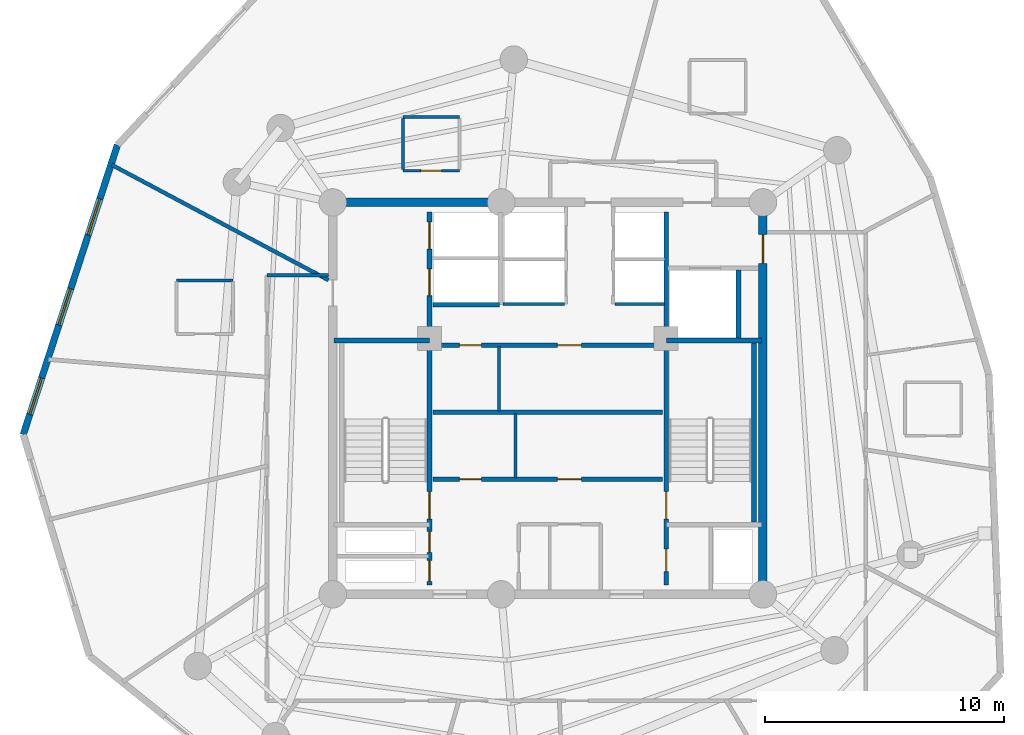
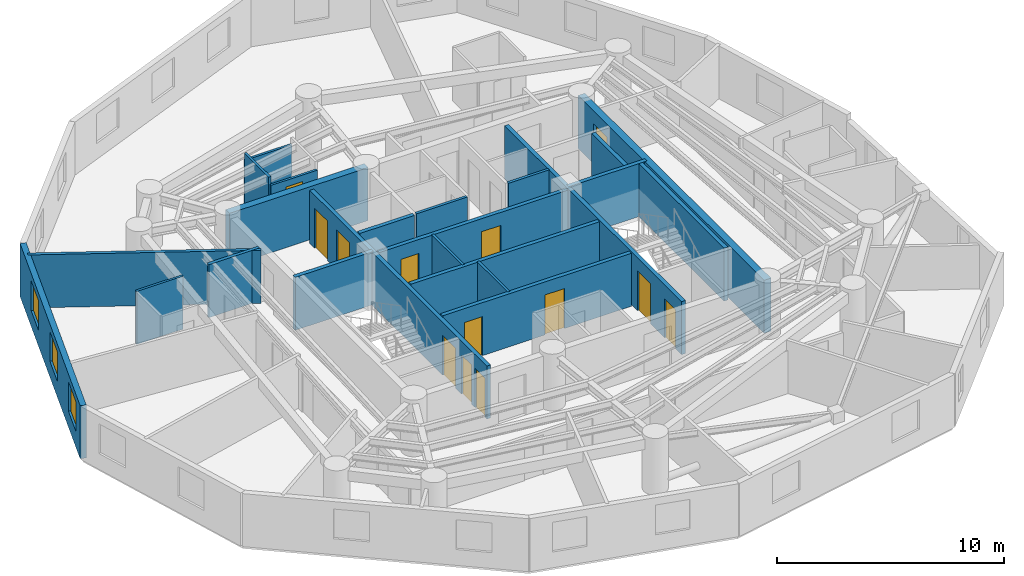
# One storey, part 4 of 7: 23 walls, 13 doors, 3 windows, 16 openings.
"""IFC4 building model written with IfcOpenShell, lengths in metres."""

import ifcopenshell
import ifcopenshell.guid

model = None  # the IFC model being written
_history = None  # IfcOwnerHistory: only IFC2X3 demands one
_inside = {}  # id of a spatial element -> (the spatial element, [elements in it])
_under = {}  # id of a project, library or spatial element -> (it, [spatial elements below it])
_declared = {}  # id of a project -> (the project, [libraries it declares])
_typed = {}  # id of a type object -> (the type object, [elements of that type])
_made_of = {}  # id of a material, layer set ... -> (it, [elements and type objects made of it])


def new_model(schema):
    """Start an empty IFC model of exactly this schema.

    Asked for "IFC4X3", IfcOpenShell would pick the latest addendum, in which some entities
    have other attributes; the version numbers below select the first issue.
    IFC2X3 requires an IfcOwnerHistory on every rooted entity: one is made here for all.
    """
    global model, _history
    if schema == "IFC4X3":
        model = ifcopenshell.file(schema_version=(4, 3, 0, 0))
    else:
        model = ifcopenshell.file(schema=schema)
    _inside.clear()
    _under.clear()
    _declared.clear()
    _typed.clear()
    _made_of.clear()
    _history = None
    if model.schema == "IFC2X3":
        org = make("IfcOrganization", Name="unknown")
        user = make(
            "IfcPersonAndOrganization",
            ThePerson=make("IfcPerson", FamilyName="unknown"),
            TheOrganization=org,
        )
        app = make(
            "IfcApplication",
            ApplicationDeveloper=org,
            Version="unknown",
            ApplicationFullName="unknown",
            ApplicationIdentifier="unknown",
        )
        _history = make(
            "IfcOwnerHistory",
            OwningUser=user,
            OwningApplication=app,
            ChangeAction="ADDED",
            CreationDate=0,
        )
    return model


def make(cls, **values):
    """One entity of the class cls with the attributes given. An attribute that is None is left unset."""
    return model.create_entity(
        cls, **{name: value for name, value in values.items() if value is not None}
    )


def rooted(cls, **values):
    """An entity with a GlobalId (a new one), such as an element, a storey or a relation."""
    return make(cls, GlobalId=ifcopenshell.guid.new(), OwnerHistory=_history, **values)


def si_unit(unit_type, name, prefix=None):
    """IfcSIUnit, for example si_unit("LENGTHUNIT", "METRE", prefix="MILLI")."""
    return make("IfcSIUnit", UnitType=unit_type, Prefix=prefix, Name=name)


def assignment(units):
    """IfcUnitAssignment: the units of a project."""
    return None if units is None else make("IfcUnitAssignment", Units=units)


def point(xyz):
    """IfcCartesianPoint."""
    return None if xyz is None else make("IfcCartesianPoint", Coordinates=xyz)


def direction(xyz):
    """IfcDirection."""
    return None if xyz is None else make("IfcDirection", DirectionRatios=xyz)


def frame(location, z_axis=None, x_axis=None):
    """IfcAxis2Placement3D, a coordinate frame: its origin and axes. An axis left out is left unset."""
    return make(
        "IfcAxis2Placement3D",
        Location=point(location),
        Axis=direction(z_axis),
        RefDirection=direction(x_axis),
    )


def frame_2d(location, x_axis=None):
    """IfcAxis2Placement2D, a coordinate frame in the plane: its origin and x axis."""
    return make(
        "IfcAxis2Placement2D", Location=point(location), RefDirection=direction(x_axis)
    )


def origin():
    """The frame at (0, 0, 0) with its axes left unset."""
    return frame((0.0, 0.0, 0.0))


def origin_with_axes():
    """The frame at (0, 0, 0) with the z axis (0, 0, 1) and the x axis (1, 0, 0) written out."""
    return frame((0.0, 0.0, 0.0), z_axis=(0.0, 0.0, 1.0), x_axis=(1.0, 0.0, 0.0))


def place(relative_to, where):
    """IfcLocalPlacement: puts the frame where relative to a parent placement (None: the world)."""
    return make(
        "IfcLocalPlacement", PlacementRelTo=relative_to, RelativePlacement=where
    )


def context(
    kind, dimensions, precision=None, world=None, true_north=None, identifier=None
):
    """IfcGeometricRepresentationContext, for example the 3D "Model" context."""
    return make(
        "IfcGeometricRepresentationContext",
        ContextIdentifier=identifier,
        ContextType=kind,
        CoordinateSpaceDimension=dimensions,
        Precision=precision,
        WorldCoordinateSystem=world,
        TrueNorth=true_north,
    )


def subcontext(parent, identifier, kind, view, scale=None):
    """IfcGeometricRepresentationSubContext, for example "Body" below "Model"."""
    return make(
        "IfcGeometricRepresentationSubContext",
        ContextIdentifier=identifier,
        ContextType=kind,
        ParentContext=parent,
        TargetScale=scale,
        TargetView=view,
    )


def project(units=None, contexts=None):
    """IfcProject with its units and contexts."""
    return rooted(
        "IfcProject",
        Name="project",
        RepresentationContexts=contexts,
        UnitsInContext=assignment(units),
    )


def spatial(cls, under=None, at=None, **own):
    """A site, building, storey or space (cls), placed at a placement, below another one or the project."""
    s = rooted(cls, ObjectPlacement=at, **own)
    if under is not None:
        _under.setdefault(under.id(), (under, []))[1].append(s)
    return s


def profile(cls, at=None, kind="AREA", **sizes):
    """A parametric profile (cls). Its sizes go by their IFC names, for example OverallWidth=200.0."""
    return make(cls, ProfileType=kind, Position=at, **sizes)


def rectangle(**sizes):
    """IfcRectangleProfileDef."""
    return profile("IfcRectangleProfileDef", **sizes)


def extrude(swept, where, along, depth):
    """IfcExtrudedAreaSolid: the profile swept, set in the frame where, extruded along a direction by depth."""
    return make(
        "IfcExtrudedAreaSolid",
        SweptArea=swept,
        Position=where,
        ExtrudedDirection=direction(along),
        Depth=depth,
    )


def shape(context_of_items, identifier, shape_type, items):
    """IfcShapeRepresentation: the items that make up one representation, for example the "Body"."""
    return make(
        "IfcShapeRepresentation",
        ContextOfItems=context_of_items,
        RepresentationIdentifier=identifier,
        RepresentationType=shape_type,
        Items=items,
    )


def source(mapping_origin, context_of_items, identifier, shape_type, items):
    """IfcRepresentationMap: a shape defined once, which mapped items show again and again."""
    return make(
        "IfcRepresentationMap",
        MappingOrigin=mapping_origin,
        MappedRepresentation=shape(context_of_items, identifier, shape_type, items),
    )


def transform(
    local_origin,
    x_axis=None,
    y_axis=None,
    z_axis=None,
    scale=None,
    scale2=None,
    scale3=None,
    uniform=True,
):
    """IfcCartesianTransformationOperator3D, or its non-uniform kind. x_axis, y_axis, z_axis: its Axis1, 2, 3."""
    if uniform:
        return make(
            "IfcCartesianTransformationOperator3D",
            Axis1=direction(x_axis),
            Axis2=direction(y_axis),
            LocalOrigin=point(local_origin),
            Scale=scale,
            Axis3=direction(z_axis),
        )
    return make(
        "IfcCartesianTransformationOperator3DnonUniform",
        Axis1=direction(x_axis),
        Axis2=direction(y_axis),
        LocalOrigin=point(local_origin),
        Scale=scale,
        Axis3=direction(z_axis),
        Scale2=scale2,
        Scale3=scale3,
    )


def mapped(mapping_source, mapping_target):
    """IfcMappedItem: shows the shape of a source again, moved by a transform."""
    return make(
        "IfcMappedItem", MappingSource=mapping_source, MappingTarget=mapping_target
    )


def material(Name=None, Category=None):
    """IfcMaterial."""
    return make("IfcMaterial", Name=Name, Category=Category)


def layer(
    of_material, thickness, ventilated=None, Name=None, Category=None, Priority=None
):
    """IfcMaterialLayer: one layer of a wall or slab, of a material (None: an air gap)."""
    return make(
        "IfcMaterialLayer",
        Material=of_material,
        LayerThickness=thickness,
        IsVentilated=ventilated,
        Name=Name,
        Category=Category,
        Priority=Priority,
    )


def layer_set(layers, Name=None):
    """IfcMaterialLayerSet."""
    return make("IfcMaterialLayerSet", MaterialLayers=layers, LayerSetName=Name)


def made_of(thing, what):
    """Note that an element or type object is made of a material, layer set ...; save() writes the relation."""
    if what is not None:
        _made_of.setdefault(what.id(), (what, []))[1].append(thing)
    return thing


def type_object(cls, material=None, **own):
    """A type object (cls), such as IfcWallType, which elements share."""
    return made_of(rooted(cls, **own), material)


def element(
    cls,
    number,
    at=None,
    inside=None,
    cuts=None,
    type_object=None,
    material=None,
    context=None,
    identifier="Body",
    shape_type=None,
    held_by="IfcProductDefinitionShape",
    body=None,
    shapes=None,
    **own,
):
    """One element of the class cls, such as IfcWall. Its Tag is "e" and its number.

    at: its placement. inside: the storey or other place that contains it. cuts: it is an
    opening in that element (IfcRelVoidsElement). A single representation is given by context,
    identifier, shape_type and body (its items); several are given by shapes. held_by: the class
    of the entity that holds the representations. save() writes the other relations.
    """
    e = rooted(cls, Tag="e%d" % number, ObjectPlacement=at, **own)
    if body is not None:
        shapes = [shape(context, identifier, shape_type, body)]
    if shapes is not None:
        e.Representation = make(held_by, Representations=shapes)
    if inside is not None:
        _inside.setdefault(inside.id(), (inside, []))[1].append(e)
    if cuts is not None:
        rooted(
            "IfcRelVoidsElement", RelatingBuildingElement=cuts, RelatedOpeningElement=e
        )
    if type_object is not None:
        _typed.setdefault(type_object.id(), (type_object, []))[1].append(e)
    return made_of(e, material)


def fill(opening, filler):
    """IfcRelFillsElement: the door or window that sits in an opening."""
    return rooted(
        "IfcRelFillsElement",
        RelatingOpeningElement=opening,
        RelatedBuildingElement=filler,
    )


def aggregate(whole, parts):
    """IfcRelAggregates: a whole, such as a stair, and the parts it consists of."""
    return rooted("IfcRelAggregates", RelatingObject=whole, RelatedObjects=parts)


def save(model, path):
    """Write the relations noted so far, then the file.

    IfcRelAggregates (storeys below a building ...), IfcRelContainedInSpatialStructure (elements
    in a storey), IfcRelDefinesByType, IfcRelAssociatesMaterial and IfcRelDeclares: one each for
    every whole, place, type object, material and project.
    """
    for whole, parts in _under.values():
        aggregate(whole, parts)
    for where, things in _inside.values():
        rooted(
            "IfcRelContainedInSpatialStructure",
            RelatedElements=things,
            RelatingStructure=where,
        )
    for kind, things in _typed.values():
        rooted("IfcRelDefinesByType", RelatedObjects=things, RelatingType=kind)
    for what, things in _made_of.values():
        rooted("IfcRelAssociatesMaterial", RelatedObjects=things, RelatingMaterial=what)
    for by, libraries in _declared.values():
        rooted("IfcRelDeclares", RelatingContext=by, RelatedDefinitions=libraries)
    model.write(path)


model = new_model("IFC4")

# Units and contexts
model_context = context("Model", 3, precision=1e-05, world=origin(), true_north=direction((0.0, 1.0)))
body_context = subcontext(model_context, "Body", "Model", "MODEL_VIEW")
ifc_project = project(units=[si_unit("LENGTHUNIT", "METRE"), si_unit("AREAUNIT", "SQUARE_METRE"), si_unit("VOLUMEUNIT", "CUBIC_METRE"), si_unit("PLANEANGLEUNIT", "RADIAN"), si_unit("MASSUNIT", "GRAM", prefix="KILO")], contexts=[model_context])

# Site, building, storey
site_placement = place(None, origin())
site = spatial("IfcSite", under=ifc_project, at=site_placement, CompositionType="ELEMENT")
building_placement = place(site_placement, origin())
building = spatial("IfcBuilding", under=site, at=building_placement, Name="Karkom Vertical University and Central Library", CompositionType="ELEMENT")
storey_placement = place(building_placement, frame((0.0, 0.0, 229.10009765625)))
storey = spatial("IfcBuildingStorey", under=building, at=storey_placement, Name="L67", CompositionType="ELEMENT", Elevation=229.10009765625)

# Wall, openings, windows
ifc_material_1 = material(Name="Brick-faced precast concrete C45/55", Category="masonry")
ifc_layer_1 = layer(ifc_material_1, 0.280029296875)
ifc_layer_set_1 = layer_set([ifc_layer_1], Name="Brick-faced precast concrete C45/55")
wall_type_1 = type_object("IfcWallType", Name="ENV-WL-BRK-280", PredefinedType="SOLIDWALL", material=ifc_layer_set_1)
wall_1_placement = place(storey_placement, frame((10.4892578125, 37.108154296875, 0.0), z_axis=(0.0, 0.0, 1.0), x_axis=(-0.309170501719, -0.951006625038, 0.0)))
wall_1 = element("IfcWall", 1, at=wall_1_placement, inside=storey, type_object=wall_type_1, Name="Level 67 Brick-Faced Precast Facade Wall 12", PredefinedType="SOLIDWALL", context=body_context, shape_type="SweptSolid", body=[
    extrude(rectangle(XDim=12.75, YDim=0.280029296875, at=frame_2d((6.375, 0.0))), origin(), (0.0, 0.0, 1.0), 2.849853515625),
])
opening_1_placement = place(wall_1_placement, frame((2.371826171875, 0.0, 0.85009765625)))
opening_1 = element("IfcOpeningElement", 2, at=opening_1_placement, cuts=wall_1, Name="Opening WN-10", PredefinedType="OPENING", context=body_context, shape_type="SweptSolid", body=[
    extrude(rectangle(XDim=1.60009765625, YDim=1.60009765625, at=frame_2d((0.800048828125, 0.800048828125))), frame((0.0, 0.14990234375, 0.0), z_axis=(0.0, -1.0, 0.0), x_axis=(1.0, 0.0, 0.0)), (0.0, 0.0, 1.0), 0.300048828125),
])
opening_2_placement = place(wall_1_placement, frame((6.326416015625, 0.0, 0.85009765625)))
opening_2 = element("IfcOpeningElement", 3, at=opening_2_placement, cuts=wall_1, Name="Opening WN-10", PredefinedType="OPENING", context=body_context, shape_type="SweptSolid", body=[
    extrude(rectangle(XDim=1.60009765625, YDim=1.60009765625, at=frame_2d((0.800048828125, 0.800048828125))), frame((0.0, 0.14990234375, 0.0), z_axis=(0.0, -1.0, 0.0), x_axis=(1.0, 0.0, 0.0)), (0.0, 0.0, 1.0), 0.300048828125),
])
opening_3_placement = place(wall_1_placement, frame((10.2568359375, 0.0, 0.85009765625)))
opening_3 = element("IfcOpeningElement", 4, at=opening_3_placement, cuts=wall_1, Name="Opening WN-10", PredefinedType="OPENING", context=body_context, shape_type="SweptSolid", body=[
    extrude(rectangle(XDim=1.60009765625, YDim=1.60009765625, at=frame_2d((0.800048828125, 0.800048828125))), frame((0.0, 0.14990234375, 0.0), z_axis=(0.0, -1.0, 0.0), x_axis=(1.0, 0.0, 0.0)), (0.0, 0.0, 1.0), 0.300048828125),
])
ifc_material_2 = material(Name="Aluminium thermal-break frame with solar-control IGU", Category="aluminium")
window_type = type_object("IfcWindowType", Name="ENV-WIN-WN-10", PartitioningType="SINGLE_PANEL", PredefinedType="WINDOW", material=ifc_material_2)
shared_shape_1 = source(origin_with_axes(), body_context, "Body", "SweptSolid", [
    extrude(rectangle(XDim=1.60009765625, YDim=1.60009765625, at=frame_2d((0.800048828125, 0.800048828125))), frame((0.0, 0.030029296875, 0.0), z_axis=(0.0, -1.0, 0.0), x_axis=(1.0, 0.0, 0.0)), (0.0, 0.0, 1.0), 0.06005859375),
])
window_1_placement = place(opening_1_placement, origin())
window_1 = element("IfcWindow", 5, at=window_1_placement, inside=storey, type_object=window_type, Name="Level 67 Punched Window 12.1", OverallHeight=1.60009765625, OverallWidth=1.60009765625, PartitioningType="SINGLE_PANEL", PredefinedType="WINDOW", context=body_context, shape_type="MappedRepresentation", body=[
    mapped(shared_shape_1, transform((0.0, 0.0, 0.0), scale=1.0)),
])
fill(opening_1, window_1)
window_2_placement = place(opening_2_placement, origin())
window_2 = element("IfcWindow", 6, at=window_2_placement, inside=storey, type_object=window_type, Name="Level 67 Punched Window 12.2", OverallHeight=1.60009765625, OverallWidth=1.60009765625, PartitioningType="SINGLE_PANEL", PredefinedType="WINDOW", context=body_context, shape_type="MappedRepresentation", body=[
    mapped(shared_shape_1, transform((0.0, 0.0, 0.0), scale=1.0)),
])
fill(opening_2, window_2)
window_3_placement = place(opening_3_placement, origin())
window_3 = element("IfcWindow", 7, at=window_3_placement, inside=storey, type_object=window_type, Name="Level 67 Punched Window 12.3", OverallHeight=1.60009765625, OverallWidth=1.60009765625, PartitioningType="SINGLE_PANEL", PredefinedType="WINDOW", context=body_context, shape_type="MappedRepresentation", body=[
    mapped(shared_shape_1, transform((0.0, 0.0, 0.0), scale=1.0)),
])
fill(opening_3, window_3)

# Walls
ifc_material_3 = material(Name="Insulated metal-stud drywall 160mm", Category="gypsum")
ifc_layer_2 = layer(ifc_material_3, 0.159912109375)
ifc_layer_set_2 = layer_set([ifc_layer_2], Name="Insulated metal-stud drywall 160mm")
wall_type_2 = type_object("IfcWallType", Name="INT-WL-COR-160", PredefinedType="PARTITIONING", material=ifc_layer_set_2)
wall_2_placement = place(storey_placement, frame((19.318603515625, 31.44970703125, 0.0), z_axis=(0.0, 0.0, 1.0), x_axis=(-0.882944668505, 0.469477062655, 0.0)))
element("IfcWall", 8, at=wall_2_placement, inside=storey, type_object=wall_type_2, Name="Level 67 Interior Partition Wall L67-PW-014", PredefinedType="PARTITIONING", context=body_context, shape_type="SweptSolid", body=[
    extrude(rectangle(XDim=10.2783203125, YDim=0.159912109375, at=frame_2d((5.13916015625, 0.0))), origin(), (0.0, 0.0, 1.0), 2.849853515625),
])
wall_3_placement = place(storey_placement, frame((16.75, 31.64990234375, 0.0), z_axis=(0.0, 0.0, 1.0), x_axis=(1.0, 0.0, 0.0)))
element("IfcWall", 9, at=wall_3_placement, inside=storey, type_object=wall_type_2, Name="Level 67 Interior Partition Wall L67-CORW-CW-003", PredefinedType="PARTITIONING", context=body_context, shape_type="SweptSolid", body=[
    extrude(rectangle(XDim=2.568115234375, YDim=0.159912109375, at=frame_2d((1.2841796875, 0.0))), origin(), (0.0, 0.0, 1.0), 2.849853515625),
])
ifc_material_4 = material(Name="Moisture-resistant drywall 120mm", Category="gypsum")
ifc_layer_3 = layer(ifc_material_4, 0.1201171875)
ifc_layer_set_3 = layer_set([ifc_layer_3], Name="Moisture-resistant drywall 120mm")
wall_type_3 = type_object("IfcWallType", Name="INT-WL-INT-120", PredefinedType="PARTITIONING", material=ifc_layer_set_3)
wall_4_placement = place(storey_placement, frame((27.14990234375, 23.169921875, 0.0), z_axis=(0.0, 0.0, 1.0), x_axis=(0.0, 1.0, 0.0)))
element("IfcWall", 10, at=wall_4_placement, inside=storey, type_object=wall_type_3, Name="Level 67 Interior Partition Wall L67-CW-B1-K2", PredefinedType="PARTITIONING", context=body_context, shape_type="SweptSolid", body=[
    extrude(rectangle(XDim=2.7001953125, YDim=0.1201171875, at=frame_2d((1.35009765625, 0.0))), origin(), (0.0, 0.0, 1.0), 2.849853515625),
])
wall_5_placement = place(storey_placement, frame((26.449951171875, 25.969970703125, 0.0), z_axis=(0.0, 0.0, 1.0), x_axis=(0.0, 1.0, 0.0)))
element("IfcWall", 11, at=wall_5_placement, inside=storey, type_object=wall_type_3, Name="Level 67 Interior Partition Wall L67-CW-B2-K2", PredefinedType="PARTITIONING", context=body_context, shape_type="SweptSolid", body=[
    extrude(rectangle(XDim=2.699951171875, YDim=0.1201171875, at=frame_2d((1.35009765625, 0.0))), origin(), (0.0, 0.0, 1.0), 2.849853515625),
])
ifc_layer_4 = layer(ifc_material_4, 0.1201171875)
ifc_layer_set_4 = layer_set([ifc_layer_4], Name="Moisture-resistant drywall 120mm")
wall_type_4 = type_object("IfcWallType", Name="INT-WL-INT-120F", PredefinedType="PARTITIONING", material=ifc_layer_set_4)
wall_6_placement = place(storey_placement, frame((15.325927734375, 31.43798828125, 0.0), z_axis=(0.0, 0.0, 1.0), x_axis=(-1.0, 0.0, 0.0)))
element("IfcWall", 12, at=wall_6_placement, inside=storey, type_object=wall_type_4, Name="Level 67 Interior Partition Wall L67-ENS-52-N", PredefinedType="PARTITIONING", context=body_context, shape_type="SweptSolid", body=[
    extrude(rectangle(XDim=2.35986328125, YDim=0.1201171875, at=frame_2d((1.179931640625, 0.0))), origin(), (0.0, 0.0, 1.0), 2.849853515625),
])

# Wall, opening, door
wall_7_placement = place(storey_placement, frame((22.43896484375, 36.027099609375, 0.0), z_axis=(0.0, 0.0, 1.0), x_axis=(1.0, 0.0, 0.0)))
wall_7 = element("IfcWall", 13, at=wall_7_placement, inside=storey, type_object=wall_type_4, Name="Level 67 Interior Partition Wall L67-ENS-51-S", PredefinedType="PARTITIONING", context=body_context, shape_type="SweptSolid", body=[
    extrude(rectangle(XDim=2.360107421875, YDim=0.1201171875, at=frame_2d((1.18017578125, 0.0))), origin(), (0.0, 0.0, 1.0), 2.449951171875),
])
opening_4_placement = place(wall_7_placement, frame((0.75, 0.0, 0.0)))
opening_4 = element("IfcOpeningElement", 14, at=opening_4_placement, cuts=wall_7, Name="Opening D-BATH", PredefinedType="OPENING", context=body_context, shape_type="SweptSolid", body=[
    extrude(rectangle(XDim=0.860107421875, YDim=2.10009765625, at=frame_2d((0.43017578125, 1.050048828125))), frame((0.0, 0.070068359375, 0.0), z_axis=(0.0, -1.0, 0.0), x_axis=(1.0, 0.0, 0.0)), (0.0, 0.0, 1.0), 0.14013671875),
])
ifc_material_5 = material(Name="Moisture-resistant oak door", Category="wood")
door_type_1 = type_object("IfcDoorType", Name="INT-DR-BATH", OperationType="NOTDEFINED", PredefinedType="DOOR", material=ifc_material_5)
shared_shape_2 = source(origin_with_axes(), body_context, "Body", "SweptSolid", [
    extrude(rectangle(XDim=0.860107421875, YDim=2.10009765625, at=frame_2d((0.43017578125, 1.050048828125))), frame((0.0, 0.02490234375, 0.0), z_axis=(0.0, -1.0, 0.0), x_axis=(1.0, 0.0, 0.0)), (0.0, 0.0, 1.0), 0.050048828125),
])
door_1_placement = place(opening_4_placement, origin())
door_1 = element("IfcDoor", 15, at=door_1_placement, inside=storey, type_object=door_type_1, Name="Level 67 En-Suite Bathroom Door 51", OperationType="SINGLE_SWING_RIGHT", OverallHeight=2.10009765625, OverallWidth=0.860107421875, PredefinedType="DOOR", context=body_context, shape_type="MappedRepresentation", body=[
    mapped(shared_shape_2, transform((0.0, 0.0, 0.0), scale=1.0)),
])
fill(opening_4, door_1)

# Walls
wall_8_placement = place(storey_placement, frame((24.799072265625, 38.26708984375, 0.0), z_axis=(0.0, 0.0, 1.0), x_axis=(-1.0, 0.0, 0.0)))
element("IfcWall", 16, at=wall_8_placement, inside=storey, type_object=wall_type_4, Name="Level 67 Interior Partition Wall L67-ENS-51-N", PredefinedType="PARTITIONING", context=body_context, shape_type="SweptSolid", body=[
    extrude(rectangle(XDim=2.360107421875, YDim=0.1201171875, at=frame_2d((1.18017578125, 0.0))), origin(), (0.0, 0.0, 1.0), 2.449951171875),
])
wall_9_placement = place(storey_placement, frame((22.43896484375, 38.217041015625, 0.0), z_axis=(0.0, 0.0, 1.0), x_axis=(0.0, -1.0, 0.0)))
element("IfcWall", 17, at=wall_9_placement, inside=storey, type_object=wall_type_4, Name="Level 67 Interior Partition Wall L67-ENS-51-W", PredefinedType="PARTITIONING", context=body_context, shape_type="SweptSolid", body=[
    extrude(rectangle(XDim=2.14013671875, YDim=0.1201171875, at=frame_2d((1.070068359375, 0.0))), origin(), (0.0, 0.0, 1.0), 2.849853515625),
])
ifc_material_6 = material(Name="Metal-stud gypsum partition 140mm", Category="gypsum")
ifc_layer_5 = layer(ifc_material_6, 0.139892578125)
ifc_layer_set_5 = layer_set([ifc_layer_5], Name="Metal-stud gypsum partition 140mm")
wall_type_5 = type_object("IfcWallType", Name="INT-WL-SUB-140H", PredefinedType="PARTITIONING", material=ifc_layer_set_5)
wall_10_placement = place(storey_placement, frame((26.6201171875, 30.449951171875, 0.0), z_axis=(0.0, 0.0, 1.0), x_axis=(1.0, 0.0, 0.0)))
element("IfcWall", 18, at=wall_10_placement, inside=storey, type_object=wall_type_5, Name="Level 67 Interior Partition Wall L67-CW-PH-S1", PredefinedType="PARTITIONING", context=body_context, shape_type="SweptSolid", body=[
    extrude(rectangle(XDim=2.579833984375, YDim=0.139892578125, at=frame_2d((1.2900390625, 0.0))), origin(), (0.0, 0.0, 1.0), 2.849853515625),
])
wall_11_placement = place(storey_placement, frame((31.300048828125, 30.449951171875, 0.0), z_axis=(0.0, 0.0, 1.0), x_axis=(1.0, 0.0, 0.0)))
element("IfcWall", 19, at=wall_11_placement, inside=storey, type_object=wall_type_5, Name="Level 67 Interior Partition Wall L67-CW-PH-S2", PredefinedType="PARTITIONING", context=body_context, shape_type="SweptSolid", body=[
    extrude(rectangle(XDim=2.074951171875, YDim=0.139892578125, at=frame_2d((1.03759765625, 0.0))), origin(), (0.0, 0.0, 1.0), 2.849853515625),
])

# Wall, opening, door
ifc_material_7 = material(Name="Concrete C45/55", Category="concrete")
ifc_layer_6 = layer(ifc_material_7, 0.35009765625)
ifc_layer_set_6 = layer_set([ifc_layer_6], Name="Concrete C45/55")
wall_type_6 = type_object("IfcWallType", Name="STR-WL-CW-350", PredefinedType="SHEAR", material=ifc_layer_set_6)
wall_12_placement = place(storey_placement, frame((37.5, 18.300048828125, 0.0), z_axis=(0.0, 0.0, 1.0), x_axis=(0.0, 1.0, 0.0)))
wall_12 = element("IfcWall", 20, at=wall_12_placement, inside=storey, type_object=wall_type_6, Name="Level 67 Central Core Shear Wall EW", PredefinedType="SHEAR", context=body_context, shape_type="SweptSolid", body=[
    extrude(rectangle(XDim=16.39990234375, YDim=0.35009765625, at=frame_2d((8.199951171875, 0.0))), origin(), (0.0, 0.0, 1.0), 2.849853515625),
])
opening_5_placement = place(wall_12_placement, frame((13.85009765625, 0.0, 0.0)))
opening_5 = element("IfcOpeningElement", 21, at=opening_5_placement, cuts=wall_12, Name="Opening FD-SUB1", PredefinedType="OPENING", context=body_context, shape_type="SweptSolid", body=[
    extrude(rectangle(XDim=1.199951171875, YDim=2.14990234375, at=frame_2d((0.60009765625, 1.074951171875))), frame((0.0, 0.18505859375, 0.0), z_axis=(0.0, -1.0, 0.0), x_axis=(1.0, 0.0, 0.0)), (0.0, 0.0, 1.0), 0.3701171875),
])
ifc_material_8 = material(Name="Painted steel fire door", Category="steel")
door_type_2 = type_object("IfcDoorType", Name="INT-DR-SUB1", OperationType="NOTDEFINED", PredefinedType="DOOR", material=ifc_material_8)
shared_shape_3 = source(origin_with_axes(), body_context, "Body", "SweptSolid", [
    extrude(rectangle(XDim=1.199951171875, YDim=2.14990234375, at=frame_2d((0.60009765625, 1.074951171875))), frame((0.0, 0.02490234375, 0.0), z_axis=(0.0, -1.0, 0.0), x_axis=(1.0, 0.0, 0.0)), (0.0, 0.0, 1.0), 0.050048828125),
])
door_2_placement = place(opening_5_placement, origin())
door_2 = element("IfcDoor", 22, at=door_2_placement, inside=storey, type_object=door_type_2, Name="Level 67 East Corridor Service Lobby Door", OperationType="SINGLE_SWING_LEFT", OverallHeight=2.14990234375, OverallWidth=1.199951171875, PredefinedType="DOOR", context=body_context, shape_type="MappedRepresentation", body=[
    mapped(shared_shape_3, transform((0.0, 0.0, 0.0), scale=1.0)),
])
fill(opening_5, door_2)

# Wall
wall_13_placement = place(storey_placement, frame((26.550048828125, 34.699951171875, 0.0), z_axis=(0.0, 0.0, 1.0), x_axis=(-1.0, 0.0, 0.0)))
element("IfcWall", 23, at=wall_13_placement, inside=storey, type_object=wall_type_6, Name="Level 67 Central Core Shear Wall NW2", PredefinedType="SHEAR", context=body_context, shape_type="SweptSolid", body=[
    extrude(rectangle(XDim=7.050048828125, YDim=0.35009765625, at=frame_2d((3.52490234375, 0.0))), origin(), (0.0, 0.0, 1.0), 2.849853515625),
])

# Wall, openings, doors
ifc_layer_7 = layer(ifc_material_7, 0.199951171875)
ifc_layer_set_7 = layer_set([ifc_layer_7], Name="Concrete C45/55")
wall_type_7 = type_object("IfcWallType", Name="STR-WL-ST-200", PredefinedType="SHEAR", material=ifc_layer_set_7)
wall_14_placement = place(storey_placement, frame((23.544921875, 18.699951171875, 0.0), z_axis=(0.0, 0.0, 1.0), x_axis=(0.0, 1.0, 0.0)))
wall_14 = element("IfcWall", 24, at=wall_14_placement, inside=storey, type_object=wall_type_7, Name="Level 67 Core Shaft Wall L67-CW-ST1-E", PredefinedType="SHEAR", context=body_context, shape_type="SweptSolid", body=[
    extrude(rectangle(XDim=15.60009765625, YDim=0.199951171875, at=frame_2d((7.800048828125, 0.0))), origin(), (0.0, 0.0, 1.0), 2.849853515625),
])
opening_6_placement = place(wall_14_placement, frame((2.75, 0.0, 0.0)))
opening_6 = element("IfcOpeningElement", 25, at=opening_6_placement, cuts=wall_14, Name="Opening FD-ST1", PredefinedType="OPENING", context=body_context, shape_type="SweptSolid", body=[
    extrude(rectangle(XDim=1.14990234375, YDim=2.14990234375, at=frame_2d((0.574951171875, 1.074951171875))), frame((0.0, 0.10986328125, 0.0), z_axis=(0.0, -1.0, 0.0), x_axis=(1.0, 0.0, 0.0)), (0.0, 0.0, 1.0), 0.219970703125),
])
opening_7_placement = place(wall_14_placement, frame((0.139892578125, 0.0, 0.0)))
opening_7 = element("IfcOpeningElement", 26, at=opening_7_placement, cuts=wall_14, Name="Opening FD-RIS", PredefinedType="OPENING", context=body_context, shape_type="SweptSolid", body=[
    extrude(rectangle(XDim=0.8798828125, YDim=2.10009765625, at=frame_2d((0.43994140625, 1.050048828125))), frame((0.0, 0.10986328125, 0.0), z_axis=(0.0, -1.0, 0.0), x_axis=(1.0, 0.0, 0.0)), (0.0, 0.0, 1.0), 0.219970703125),
])
opening_8_placement = place(wall_14_placement, frame((1.360107421875, 0.0, 0.0)))
opening_8 = element("IfcOpeningElement", 27, at=opening_8_placement, cuts=wall_14, Name="Opening FD-RIS", PredefinedType="OPENING", context=body_context, shape_type="SweptSolid", body=[
    extrude(rectangle(XDim=0.8798828125, YDim=2.10009765625, at=frame_2d((0.43994140625, 1.050048828125))), frame((0.0, 0.10986328125, 0.0), z_axis=(0.0, -1.0, 0.0), x_axis=(1.0, 0.0, 0.0)), (0.0, 0.0, 1.0), 0.219970703125),
])
opening_9_placement = place(wall_14_placement, frame((12.10009765625, 0.0, 0.0)))
opening_9 = element("IfcOpeningElement", 28, at=opening_9_placement, cuts=wall_14, Name="Opening LD-FFL", PredefinedType="OPENING", context=body_context, shape_type="SweptSolid", body=[
    extrude(rectangle(XDim=1.1201171875, YDim=2.14990234375, at=frame_2d((0.56005859375, 1.074951171875))), frame((0.0, 0.10986328125, 0.0), z_axis=(0.0, -1.0, 0.0), x_axis=(1.0, 0.0, 0.0)), (0.0, 0.0, 1.0), 0.219970703125),
])
opening_10_placement = place(wall_14_placement, frame((14.050048828125, 0.0, 0.0)))
opening_10 = element("IfcOpeningElement", 29, at=opening_10_placement, cuts=wall_14, Name="Opening LD-FFL", PredefinedType="OPENING", context=body_context, shape_type="SweptSolid", body=[
    extrude(rectangle(XDim=1.1201171875, YDim=2.14990234375, at=frame_2d((0.56005859375, 1.074951171875))), frame((0.0, 0.10986328125, 0.0), z_axis=(0.0, -1.0, 0.0), x_axis=(1.0, 0.0, 0.0)), (0.0, 0.0, 1.0), 0.219970703125),
])
ifc_material_9 = material(Name="Painted steel acoustic fire door", Category="steel")
door_type_3 = type_object("IfcDoorType", Name="INT-DR-ST1", OperationType="NOTDEFINED", PredefinedType="DOOR", material=ifc_material_9)
shared_shape_4 = source(origin_with_axes(), body_context, "Body", "SweptSolid", [
    extrude(rectangle(XDim=1.14990234375, YDim=2.14990234375, at=frame_2d((0.574951171875, 1.074951171875))), frame((0.0, 0.02490234375, 0.0), z_axis=(0.0, -1.0, 0.0), x_axis=(1.0, 0.0, 0.0)), (0.0, 0.0, 1.0), 0.050048828125),
])
door_3_placement = place(opening_6_placement, origin())
door_3 = element("IfcDoor", 30, at=door_3_placement, inside=storey, type_object=door_type_3, Name="Level 67 Stair ST-1 Fire Door", OperationType="SINGLE_SWING_RIGHT", OverallHeight=2.14990234375, OverallWidth=1.14990234375, PredefinedType="DOOR", context=body_context, shape_type="MappedRepresentation", body=[
    mapped(shared_shape_4, transform((0.0, 0.0, 0.0), scale=1.0)),
])
fill(opening_6, door_3)
ifc_material_10 = material(Name="Painted steel riser access door", Category="steel")
door_type_4 = type_object("IfcDoorType", Name="INT-DR-RIS", OperationType="NOTDEFINED", PredefinedType="DOOR", material=ifc_material_10)
shared_shape_5 = source(origin_with_axes(), body_context, "Body", "SweptSolid", [
    extrude(rectangle(XDim=0.8798828125, YDim=2.10009765625, at=frame_2d((0.43994140625, 1.050048828125))), frame((0.0, 0.02490234375, 0.0), z_axis=(0.0, -1.0, 0.0), x_axis=(1.0, 0.0, 0.0)), (0.0, 0.0, 1.0), 0.050048828125),
])
door_4_placement = place(opening_7_placement, origin())
door_4 = element("IfcDoor", 31, at=door_4_placement, inside=storey, type_object=door_type_4, Name="Level 67 Electrical Riser Access Door", OperationType="SINGLE_SWING_LEFT", OverallHeight=2.10009765625, OverallWidth=0.8798828125, PredefinedType="DOOR", context=body_context, shape_type="MappedRepresentation", body=[
    mapped(shared_shape_5, transform((0.0, 0.0, 0.0), scale=1.0)),
])
fill(opening_7, door_4)
door_5_placement = place(opening_8_placement, origin())
door_5 = element("IfcDoor", 32, at=door_5_placement, inside=storey, type_object=door_type_4, Name="Level 67 Telecom Riser Access Door", OperationType="SINGLE_SWING_RIGHT", OverallHeight=2.10009765625, OverallWidth=0.8798828125, PredefinedType="DOOR", context=body_context, shape_type="MappedRepresentation", body=[
    mapped(shared_shape_5, transform((0.0, 0.0, 0.0), scale=1.0)),
])
fill(opening_8, door_5)
ifc_material_11 = material(Name="Fire-rated stainless-steel landing door", Category="steel")
door_type_5 = type_object("IfcDoorType", Name="INT-DR-LD-FFL", OperationType="SLIDING_TO_LEFT", PredefinedType="DOOR", material=ifc_material_11)
shared_shape_6 = source(origin_with_axes(), body_context, "Body", "SweptSolid", [
    extrude(rectangle(XDim=1.1201171875, YDim=2.14990234375, at=frame_2d((0.56005859375, 1.074951171875))), frame((0.0, 0.02490234375, 0.0), z_axis=(0.0, -1.0, 0.0), x_axis=(1.0, 0.0, 0.0)), (0.0, 0.0, 1.0), 0.050048828125),
])
door_6_placement = place(opening_9_placement, origin())
door_6 = element("IfcDoor", 33, at=door_6_placement, inside=storey, type_object=door_type_5, Name="Level 67 Firefighting Lift FFL-1 Landing Door", OperationType="SLIDING_TO_LEFT", OverallHeight=2.14990234375, OverallWidth=1.1201171875, PredefinedType="DOOR", context=body_context, shape_type="MappedRepresentation", body=[
    mapped(shared_shape_6, transform((0.0, 0.0, 0.0), scale=1.0)),
])
fill(opening_9, door_6)
door_7_placement = place(opening_10_placement, origin())
door_7 = element("IfcDoor", 34, at=door_7_placement, inside=storey, type_object=door_type_5, Name="Level 67 Firefighting Lift FFL-2 Landing Door", OperationType="SLIDING_TO_RIGHT", OverallHeight=2.14990234375, OverallWidth=1.1201171875, PredefinedType="DOOR", context=body_context, shape_type="MappedRepresentation", body=[
    mapped(shared_shape_6, transform((0.0, 0.0, 0.0), scale=1.0)),
])
fill(opening_10, door_7)

wall_15_placement = place(storey_placement, frame((33.455078125, 18.699951171875, 0.0), z_axis=(0.0, 0.0, 1.0), x_axis=(0.0, 1.0, 0.0)))
wall_15 = element("IfcWall", 35, at=wall_15_placement, inside=storey, type_object=wall_type_7, Name="Level 67 Core Shaft Wall L67-CW-ST2-W", PredefinedType="SHEAR", context=body_context, shape_type="SweptSolid", body=[
    extrude(rectangle(XDim=15.60009765625, YDim=0.199951171875, at=frame_2d((7.800048828125, 0.0))), origin(), (0.0, 0.0, 1.0), 2.849853515625),
])
opening_11_placement = place(wall_15_placement, frame((2.75, 0.0, 0.0)))
opening_11 = element("IfcOpeningElement", 36, at=opening_11_placement, cuts=wall_15, Name="Opening FD-ST1", PredefinedType="OPENING", context=body_context, shape_type="SweptSolid", body=[
    extrude(rectangle(XDim=1.14990234375, YDim=2.14990234375, at=frame_2d((0.574951171875, 1.074951171875))), frame((0.0, 0.10986328125, 0.0), z_axis=(0.0, -1.0, 0.0), x_axis=(1.0, 0.0, 0.0)), (0.0, 0.0, 1.0), 0.219970703125),
])
opening_12_placement = place(wall_15_placement, frame((0.550048828125, 0.0, 0.0)))
opening_12 = element("IfcOpeningElement", 37, at=opening_12_placement, cuts=wall_15, Name="Opening D-WC1", PredefinedType="OPENING", context=body_context, shape_type="SweptSolid", body=[
    extrude(rectangle(XDim=0.93994140625, YDim=2.10009765625, at=frame_2d((0.469970703125, 1.050048828125))), frame((0.0, 0.10986328125, 0.0), z_axis=(0.0, -1.0, 0.0), x_axis=(1.0, 0.0, 0.0)), (0.0, 0.0, 1.0), 0.219970703125),
])
door_8_placement = place(opening_11_placement, origin())
door_8 = element("IfcDoor", 38, at=door_8_placement, inside=storey, type_object=door_type_3, Name="Level 67 Stair ST-2 Fire Door", OperationType="SINGLE_SWING_LEFT", OverallHeight=2.14990234375, OverallWidth=1.14990234375, PredefinedType="DOOR", context=body_context, shape_type="MappedRepresentation", body=[
    mapped(shared_shape_4, transform((0.0, 0.0, 0.0), scale=1.0)),
])
fill(opening_11, door_8)
ifc_material_12 = material(Name="Fire-rated laminate moisture-resistant door", Category="wood")
door_type_6 = type_object("IfcDoorType", Name="INT-DR-WC1", OperationType="NOTDEFINED", PredefinedType="DOOR", material=ifc_material_12)
shared_shape_7 = source(origin_with_axes(), body_context, "Body", "SweptSolid", [
    extrude(rectangle(XDim=0.93994140625, YDim=2.10009765625, at=frame_2d((0.469970703125, 1.050048828125))), frame((0.0, 0.02490234375, 0.0), z_axis=(0.0, -1.0, 0.0), x_axis=(1.0, 0.0, 0.0)), (0.0, 0.0, 1.0), 0.050048828125),
])
door_9_placement = place(opening_12_placement, origin())
door_9 = element("IfcDoor", 39, at=door_9_placement, inside=storey, type_object=door_type_6, Name="Level 67 Accessible WC Door", OperationType="SINGLE_SWING_LEFT", OverallHeight=2.10009765625, OverallWidth=0.93994140625, PredefinedType="DOOR", context=body_context, shape_type="MappedRepresentation", body=[
    mapped(shared_shape_7, transform((0.0, 0.0, 0.0), scale=1.0)),
])
fill(opening_12, door_9)

wall_16_placement = place(storey_placement, frame((23.699951171875, 23.1201171875, 0.0), z_axis=(0.0, 0.0, 1.0), x_axis=(1.0, 0.0, 0.0)))
wall_16 = element("IfcWall", 40, at=wall_16_placement, inside=storey, type_object=wall_type_7, Name="Level 67 Core Shaft Wall L67-CW-B1-S", PredefinedType="SHEAR", context=body_context, shape_type="SweptSolid", body=[
    extrude(rectangle(XDim=9.60009765625, YDim=0.199951171875, at=frame_2d((4.800048828125, 0.0))), origin(), (0.0, 0.0, 1.0), 2.849853515625),
])
opening_13_placement = place(wall_16_placement, frame((1.10009765625, 0.0, 0.0)))
opening_13 = element("IfcOpeningElement", 41, at=opening_13_placement, cuts=wall_16, Name="Opening D-SVC1", PredefinedType="OPENING", context=body_context, shape_type="SweptSolid", body=[
    extrude(rectangle(XDim=0.919921875, YDim=2.10009765625, at=frame_2d((0.4599609375, 1.050048828125))), frame((0.0, 0.10986328125, 0.0), z_axis=(0.0, -1.0, 0.0), x_axis=(1.0, 0.0, 0.0)), (0.0, 0.0, 1.0), 0.219970703125),
])
opening_14_placement = place(wall_16_placement, frame((5.199951171875, 0.0, 0.0)))
opening_14 = element("IfcOpeningElement", 42, at=opening_14_placement, cuts=wall_16, Name="Opening D-STR1", PredefinedType="OPENING", context=body_context, shape_type="SweptSolid", body=[
    extrude(rectangle(XDim=1.0, YDim=2.14990234375, at=frame_2d((0.5, 1.074951171875))), frame((0.0, 0.10986328125, 0.0), z_axis=(0.0, -1.0, 0.0), x_axis=(1.0, 0.0, 0.0)), (0.0, 0.0, 1.0), 0.219970703125),
])
ifc_material_13 = material(Name="Painted timber service door", Category="wood")
door_type_7 = type_object("IfcDoorType", Name="INT-DR-SVC1", OperationType="NOTDEFINED", PredefinedType="DOOR", material=ifc_material_13)
shared_shape_8 = source(origin_with_axes(), body_context, "Body", "SweptSolid", [
    extrude(rectangle(XDim=0.919921875, YDim=2.10009765625, at=frame_2d((0.4599609375, 1.050048828125))), frame((0.0, 0.02490234375, 0.0), z_axis=(0.0, -1.0, 0.0), x_axis=(1.0, 0.0, 0.0)), (0.0, 0.0, 1.0), 0.050048828125),
])
door_10_placement = place(opening_13_placement, origin())
door_10 = element("IfcDoor", 43, at=door_10_placement, inside=storey, type_object=door_type_7, Name="Level 67 B1 West Store Door", OperationType="SINGLE_SWING_RIGHT", OverallHeight=2.10009765625, OverallWidth=0.919921875, PredefinedType="DOOR", context=body_context, shape_type="MappedRepresentation", body=[
    mapped(shared_shape_8, transform((0.0, 0.0, 0.0), scale=1.0)),
])
fill(opening_13, door_10)
ifc_material_14 = material(Name="Solid-core hardwood fire door", Category="wood")
door_type_8 = type_object("IfcDoorType", Name="INT-DR-STR1", OperationType="NOTDEFINED", PredefinedType="DOOR", material=ifc_material_14)
shared_shape_9 = source(origin_with_axes(), body_context, "Body", "SweptSolid", [
    extrude(rectangle(XDim=1.0, YDim=2.14990234375, at=frame_2d((0.5, 1.074951171875))), frame((0.0, 0.02490234375, 0.0), z_axis=(0.0, -1.0, 0.0), x_axis=(1.0, 0.0, 0.0)), (0.0, 0.0, 1.0), 0.050048828125),
])
door_11_placement = place(opening_14_placement, origin())
door_11 = element("IfcDoor", 44, at=door_11_placement, inside=storey, type_object=door_type_8, Name="Level 67 B1 East Plant Door", OperationType="SINGLE_SWING_LEFT", OverallHeight=2.14990234375, OverallWidth=1.0, PredefinedType="DOOR", context=body_context, shape_type="MappedRepresentation", body=[
    mapped(shared_shape_9, transform((0.0, 0.0, 0.0), scale=1.0)),
])
fill(opening_14, door_11)

# Wall
wall_17_placement = place(storey_placement, frame((23.699951171875, 25.919921875, 0.0), z_axis=(0.0, 0.0, 1.0), x_axis=(1.0, 0.0, 0.0)))
element("IfcWall", 45, at=wall_17_placement, inside=storey, type_object=wall_type_7, Name="Level 67 Core Shaft Wall L67-CW-B1-N", PredefinedType="SHEAR", context=body_context, shape_type="SweptSolid", body=[
    extrude(rectangle(XDim=9.60009765625, YDim=0.199951171875, at=frame_2d((4.800048828125, 0.0))), origin(), (0.0, 0.0, 1.0), 2.849853515625),
])

# Wall, openings, doors
wall_18_placement = place(storey_placement, frame((23.699951171875, 28.719970703125, 0.0), z_axis=(0.0, 0.0, 1.0), x_axis=(1.0, 0.0, 0.0)))
wall_18 = element("IfcWall", 46, at=wall_18_placement, inside=storey, type_object=wall_type_7, Name="Level 67 Core Shaft Wall L67-CW-B2-N", PredefinedType="SHEAR", context=body_context, shape_type="SweptSolid", body=[
    extrude(rectangle(XDim=9.60009765625, YDim=0.199951171875, at=frame_2d((4.800048828125, 0.0))), origin(), (0.0, 0.0, 1.0), 2.849853515625),
])
opening_15_placement = place(wall_18_placement, frame((1.10009765625, 0.0, 0.0)))
opening_15 = element("IfcOpeningElement", 47, at=opening_15_placement, cuts=wall_18, Name="Opening D-SVC1", PredefinedType="OPENING", context=body_context, shape_type="SweptSolid", body=[
    extrude(rectangle(XDim=0.919921875, YDim=2.10009765625, at=frame_2d((0.4599609375, 1.050048828125))), frame((0.0, 0.10986328125, 0.0), z_axis=(0.0, -1.0, 0.0), x_axis=(1.0, 0.0, 0.0)), (0.0, 0.0, 1.0), 0.219970703125),
])
opening_16_placement = place(wall_18_placement, frame((5.199951171875, 0.0, 0.0)))
opening_16 = element("IfcOpeningElement", 48, at=opening_16_placement, cuts=wall_18, Name="Opening D-STR1", PredefinedType="OPENING", context=body_context, shape_type="SweptSolid", body=[
    extrude(rectangle(XDim=1.0, YDim=2.14990234375, at=frame_2d((0.5, 1.074951171875))), frame((0.0, 0.10986328125, 0.0), z_axis=(0.0, -1.0, 0.0), x_axis=(1.0, 0.0, 0.0)), (0.0, 0.0, 1.0), 0.219970703125),
])
door_12_placement = place(opening_15_placement, origin())
door_12 = element("IfcDoor", 49, at=door_12_placement, inside=storey, type_object=door_type_7, Name="Level 67 B2 West Store Door", OperationType="SINGLE_SWING_RIGHT", OverallHeight=2.10009765625, OverallWidth=0.919921875, PredefinedType="DOOR", context=body_context, shape_type="MappedRepresentation", body=[
    mapped(shared_shape_8, transform((0.0, 0.0, 0.0), scale=1.0)),
])
fill(opening_15, door_12)
door_13_placement = place(opening_16_placement, origin())
door_13 = element("IfcDoor", 50, at=door_13_placement, inside=storey, type_object=door_type_8, Name="Level 67 B2 East Plant Door", OperationType="SINGLE_SWING_LEFT", OverallHeight=2.14990234375, OverallWidth=1.0, PredefinedType="DOOR", context=body_context, shape_type="MappedRepresentation", body=[
    mapped(shared_shape_9, transform((0.0, 0.0, 0.0), scale=1.0)),
])
fill(opening_16, door_13)

# Walls
wall_19_placement = place(storey_placement, frame((37.125, 21.320068359375, 0.0), z_axis=(0.0, 0.0, 1.0), x_axis=(0.0, 1.0, 0.0)))
element("IfcWall", 51, at=wall_19_placement, inside=storey, type_object=wall_type_7, Name="Level 67 Core Shaft Wall L67-CW-ST2-E", PredefinedType="SHEAR", context=body_context, shape_type="SweptSolid", body=[
    extrude(rectangle(XDim=7.5, YDim=0.199951171875, at=frame_2d((3.75, 0.0))), origin(), (0.0, 0.0, 1.0), 2.849853515625),
])
for number, where, z_axis, x_axis, name in (
    (52, (33.455078125, 28.925048828125, 0.0), (0.0, 0.0, 1.0), (1.0, 0.0, 0.0), "Level 67 Core Shaft Wall L67-CW-ST2-N"),
    (53, (19.550048828125, 28.925048828125, 0.0), (0.0, 0.0, 1.0), (1.0, 0.0, 0.0), "Level 67 Core Shaft Wall L67-CW-ST1-N"),
):
    element("IfcWall", number, at=place(storey_placement, frame(where, z_axis=z_axis, x_axis=x_axis)), inside=storey, type_object=wall_type_7, Name=name, PredefinedType="SHEAR", context=body_context, shape_type="SweptSolid", body=[
        extrude(rectangle(XDim=3.994873046875, YDim=0.199951171875, at=frame_2d((1.99755859375, 0.0))), origin(), (0.0, 0.0, 1.0), 2.849853515625),
    ])
wall_20_placement = place(storey_placement, frame((36.47998046875, 29.02001953125, 0.0), z_axis=(0.0, 0.0, 1.0), x_axis=(0.0, 1.0, 0.0)))
element("IfcWall", 54, at=wall_20_placement, inside=storey, type_object=wall_type_7, Name="Level 67 Core Shaft Wall L67-CW-SVL-E", PredefinedType="SHEAR", context=body_context, shape_type="SweptSolid", body=[
    extrude(rectangle(XDim=2.85986328125, YDim=0.199951171875, at=frame_2d((1.429931640625, 0.0))), origin(), (0.0, 0.0, 1.0), 2.849853515625),
])
wall_21_placement = place(storey_placement, frame((23.699951171875, 30.419921875, 0.0), z_axis=(0.0, 0.0, 1.0), x_axis=(1.0, 0.0, 0.0)))
element("IfcWall", 55, at=wall_21_placement, inside=storey, type_object=wall_type_7, Name="Level 67 Core Shaft Wall L67-CW-FFL-S", PredefinedType="SHEAR", context=body_context, shape_type="SweptSolid", body=[
    extrude(rectangle(XDim=2.780029296875, YDim=0.199951171875, at=frame_2d((1.39013671875, 0.0))), origin(), (0.0, 0.0, 1.0), 2.849853515625),
])

save(model, "model.ifc")
